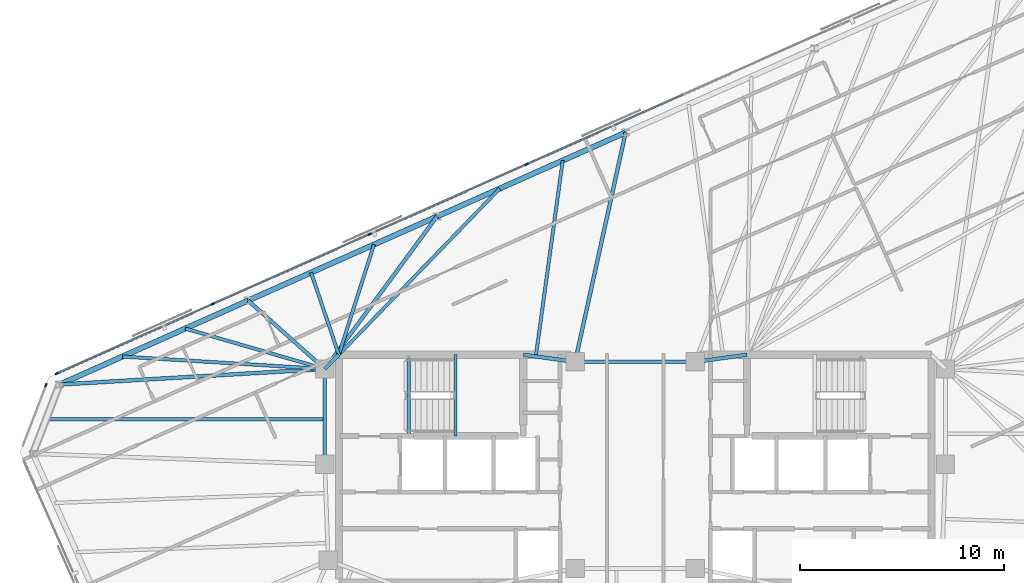
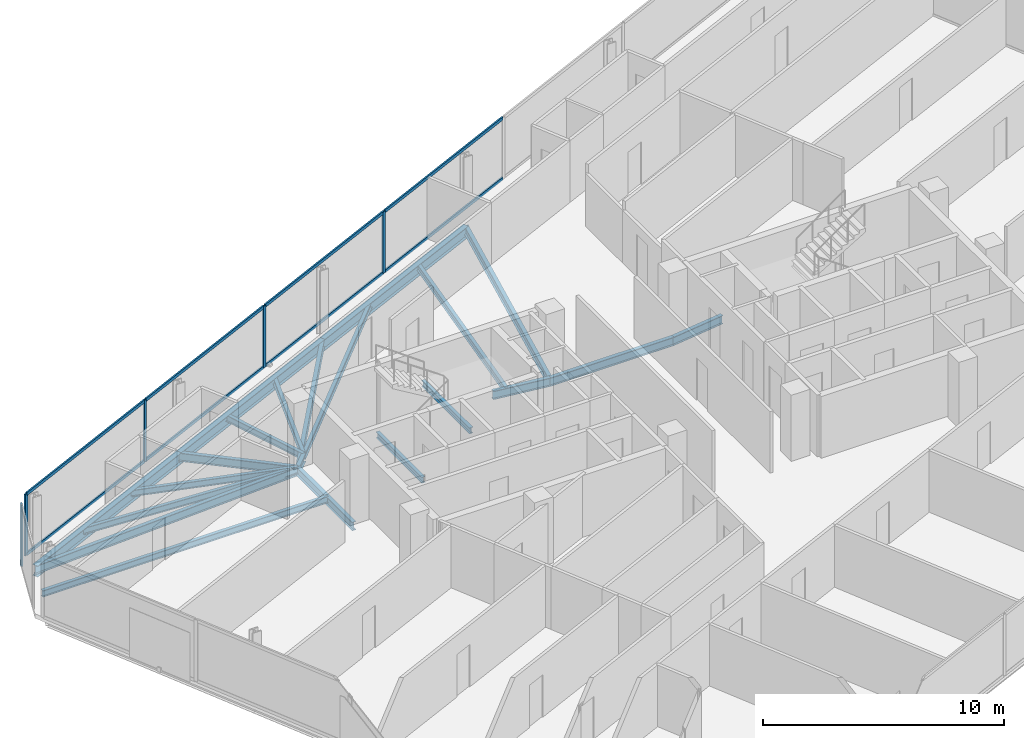
# One storey, part 9 of 19: 21 beams, 13 members, 2 elements without a shape of their own.
"""IFC4 building model written with IfcOpenShell, lengths in metres."""

from ifc_helpers import new_model, si_unit, direction, frame, origin, origin_2d, place, context, subcontext, project, spatial, rectangle, i_section, extrude, material, material_profile, profile_set, type_object, element, aggregate, save


model = new_model("IFC4")

# Units and contexts
model_context = context("Model", 3, precision=1e-05, world=origin(), true_north=direction((0.0, 1.0)))
body_context = subcontext(model_context, "Body", "Model", "MODEL_VIEW")
ifc_project = project(units=[si_unit("LENGTHUNIT", "METRE"), si_unit("AREAUNIT", "SQUARE_METRE"), si_unit("VOLUMEUNIT", "CUBIC_METRE"), si_unit("PLANEANGLEUNIT", "RADIAN"), si_unit("MASSUNIT", "GRAM", prefix="KILO")], contexts=[model_context])

# Site, building, storey
site_placement = place(None, origin())
site = spatial("IfcSite", under=ifc_project, at=site_placement, CompositionType="ELEMENT")
building_placement = place(site_placement, origin())
building = spatial("IfcBuilding", under=site, at=building_placement, Name="Menara Jurai Vektor", CompositionType="ELEMENT")
storey_placement = place(building_placement, frame((0.0, 0.0, 288.60009765625)))
storey = spatial("IfcBuildingStorey", under=building, at=storey_placement, Name="L77", CompositionType="ELEMENT", Elevation=288.60009765625)

# Curtain wall, members
ifc_material_1 = material(Name="Anodised Pale Aluminium & Low-E Double Glazing", Category="aluminium")
curtain_wall_type = type_object("IfcCurtainWallType", Name="CW-BLK5", PredefinedType="NOTDEFINED", material=ifc_material_1)
curtain_wall_1_placement = place(storey_placement, origin())
curtain_wall_1 = element("IfcCurtainWall", 1, at=curtain_wall_1_placement, inside=storey, type_object=curtain_wall_type, Name="Unitised Curtain Wall L77 F05", PredefinedType="NOTDEFINED")
ifc_material_2 = material(Name="Anodised Pale Aluminium Mullion", Category="aluminium")
ifc_material_profile_1 = material_profile(ifc_material_2, rectangle(XDim=0.074951171875, YDim=0.175048828125, at=origin_2d()), Name="ALU MUL 75x175")
ifc_profile_set_1 = profile_set([ifc_material_profile_1], Name="Anodised Pale Aluminium Mullion")
member_type_1 = type_object("IfcMemberType", Name="CW-BLK5-MUL", PredefinedType="MULLION", material=ifc_profile_set_1)
member_1_placement = place(storey_placement, frame((-5.327880859375, 14.957275390625, 0.0), z_axis=(0.0, 0.0, 1.0), x_axis=(0.406735498684, -0.913545967158, 0.0)))
member_1 = element("IfcMember", 2, at=member_1_placement, type_object=member_type_1, Name="CW-05 mullion 4", PredefinedType="MULLION", context=body_context, shape_type="SweptSolid", body=[
    extrude(rectangle(XDim=0.074951171875, YDim=0.175048828125, at=origin_2d()), origin(), (0.0, 0.0, 1.0), 3.125),
])
member_2_placement = place(storey_placement, frame((-13.038330078125, 11.5244140625, 0.0), z_axis=(0.0, 0.0, 1.0), x_axis=(0.406735498684, -0.913545967158, 0.0)))
member_2 = element("IfcMember", 3, at=member_2_placement, type_object=member_type_1, Name="CW-05 mullion 5", PredefinedType="MULLION", context=body_context, shape_type="SweptSolid", body=[
    extrude(rectangle(XDim=0.074951171875, YDim=0.175048828125, at=origin_2d()), origin(), (0.0, 0.0, 1.0), 3.125),
])
member_3_placement = place(storey_placement, frame((-20.748779296875, 8.091552734375, 0.0), z_axis=(0.0, 0.0, 1.0), x_axis=(0.406735498684, -0.913545967158, 0.0)))
member_3 = element("IfcMember", 4, at=member_3_placement, type_object=member_type_1, Name="CW-05 mullion 6", PredefinedType="MULLION", context=body_context, shape_type="SweptSolid", body=[
    extrude(rectangle(XDim=0.074951171875, YDim=0.175048828125, at=origin_2d()), origin(), (0.0, 0.0, 1.0), 3.125),
])
member_4_placement = place(storey_placement, frame((-28.4248046875, 4.674072265625, 0.0), z_axis=(0.0, 0.0, 1.0), x_axis=(0.406735498684, -0.913545967158, 0.0)))
member_4 = element("IfcMember", 5, at=member_4_placement, type_object=member_type_1, Name="CW-05 mullion 7", PredefinedType="MULLION", context=body_context, shape_type="SweptSolid", body=[
    extrude(rectangle(XDim=0.074951171875, YDim=0.175048828125, at=origin_2d()), origin(), (0.0, 0.0, 1.0), 3.125),
])

# Curtain wall, member
curtain_wall_2_placement = place(storey_placement, origin())
curtain_wall_2 = element("IfcCurtainWall", 6, at=curtain_wall_2_placement, inside=storey, type_object=curtain_wall_type, Name="Unitised Curtain Wall L77 F06", PredefinedType="NOTDEFINED")
member_5_placement = place(storey_placement, frame((-28.955810546875, 4.114501953125, 0.0), z_axis=(0.0, 0.0, 1.0), x_axis=(0.933578193639, -0.358373766287, 0.0)))
member_5 = element("IfcMember", 7, at=member_5_placement, type_object=member_type_1, Name="CW-05 mullion 1", PredefinedType="MULLION", context=body_context, shape_type="SweptSolid", body=[
    extrude(rectangle(XDim=0.074951171875, YDim=0.175048828125, at=origin_2d()), origin(), (0.0, 0.0, 1.0), 3.125),
])
aggregate(curtain_wall_2, [member_5])

# Member
ifc_material_3 = material(Name="Anodised Pale Aluminium Transom", Category="aluminium")
ifc_material_profile_2 = material_profile(ifc_material_3, rectangle(XDim=0.074951171875, YDim=0.155029296875, at=origin_2d()), Name="ALU TRN 75x155")
ifc_profile_set_2 = profile_set([ifc_material_profile_2], Name="Anodised Pale Aluminium Transom")
member_type_2 = type_object("IfcMemberType", Name="CW-BLK5-TRN", PredefinedType="USERDEFINED", material=ifc_profile_set_2)
member_6_placement = place(storey_placement, frame((2.34814453125, 18.375, 0.037353515625), z_axis=(-0.913546575494, -0.406734132331, 0.0), x_axis=(0.406734132331, -0.913546575494, 0.0)))
member_6 = element("IfcMember", 8, at=member_6_placement, type_object=member_type_2, Name="CW-05 transom 3.1", ObjectType="TRANSOM", PredefinedType="USERDEFINED", context=body_context, shape_type="SweptSolid", body=[
    extrude(rectangle(XDim=0.074951171875, YDim=0.155029296875, at=origin_2d()), origin(), (0.0, 0.0, 1.0), 8.364990234375),
])

member_7_placement = place(storey_placement, frame((2.34814453125, 18.375, 3.08740234375), z_axis=(-0.913546575494, -0.406734132331, 0.0), x_axis=(0.406734132331, -0.913546575494, 0.0)))
member_7 = element("IfcMember", 9, at=member_7_placement, type_object=member_type_2, Name="CW-05 transom 3.2", ObjectType="TRANSOM", PredefinedType="USERDEFINED", context=body_context, shape_type="SweptSolid", body=[
    extrude(rectangle(XDim=0.074951171875, YDim=0.155029296875, at=origin_2d()), origin(), (0.0, 0.0, 1.0), 8.364990234375),
])

member_8_placement = place(storey_placement, frame((-5.3623046875, 14.942138671875, 0.037353515625), z_axis=(-0.913546575494, -0.406734132331, 0.0), x_axis=(0.406734132331, -0.913546575494, 0.0)))
member_8 = element("IfcMember", 10, at=member_8_placement, type_object=member_type_2, Name="CW-05 transom 4.1", ObjectType="TRANSOM", PredefinedType="USERDEFINED", context=body_context, shape_type="SweptSolid", body=[
    extrude(rectangle(XDim=0.074951171875, YDim=0.155029296875, at=origin_2d()), origin(), (0.0, 0.0, 1.0), 8.364990234375),
])

member_9_placement = place(storey_placement, frame((-5.3623046875, 14.942138671875, 3.08740234375), z_axis=(-0.913546575494, -0.406734132331, 0.0), x_axis=(0.406734132331, -0.913546575494, 0.0)))
member_9 = element("IfcMember", 11, at=member_9_placement, type_object=member_type_2, Name="CW-05 transom 4.2", ObjectType="TRANSOM", PredefinedType="USERDEFINED", context=body_context, shape_type="SweptSolid", body=[
    extrude(rectangle(XDim=0.074951171875, YDim=0.155029296875, at=origin_2d()), origin(), (0.0, 0.0, 1.0), 8.364990234375),
])

member_10_placement = place(storey_placement, frame((-13.072509765625, 11.50927734375, 0.037353515625), z_axis=(-0.913546575494, -0.406734132331, 0.0), x_axis=(0.406734132331, -0.913546575494, 0.0)))
member_10 = element("IfcMember", 12, at=member_10_placement, type_object=member_type_2, Name="CW-05 transom 5.1", ObjectType="TRANSOM", PredefinedType="USERDEFINED", context=body_context, shape_type="SweptSolid", body=[
    extrude(rectangle(XDim=0.074951171875, YDim=0.155029296875, at=origin_2d()), origin(), (0.0, 0.0, 1.0), 8.364990234375),
])

member_11_placement = place(storey_placement, frame((-13.072509765625, 11.50927734375, 3.08740234375), z_axis=(-0.913546575494, -0.406734132331, 0.0), x_axis=(0.406734132331, -0.913546575494, 0.0)))
member_11 = element("IfcMember", 13, at=member_11_placement, type_object=member_type_2, Name="CW-05 transom 5.2", ObjectType="TRANSOM", PredefinedType="USERDEFINED", context=body_context, shape_type="SweptSolid", body=[
    extrude(rectangle(XDim=0.074951171875, YDim=0.155029296875, at=origin_2d()), origin(), (0.0, 0.0, 1.0), 8.364990234375),
])

member_12_placement = place(storey_placement, frame((-20.782958984375, 8.076416015625, 0.037353515625), z_axis=(-0.91353811338, -0.406753138159, 0.0), x_axis=(0.406753138159, -0.91353811338, 0.0)))
member_12 = element("IfcMember", 14, at=member_12_placement, type_object=member_type_2, Name="CW-05 transom 6.1", ObjectType="TRANSOM", PredefinedType="USERDEFINED", context=body_context, shape_type="SweptSolid", body=[
    extrude(rectangle(XDim=0.074951171875, YDim=0.155029296875, at=origin_2d()), origin(), (0.0, 0.0, 1.0), 8.327392578125),
])

member_13_placement = place(storey_placement, frame((-20.782958984375, 8.076416015625, 3.08740234375), z_axis=(-0.91353811338, -0.406753138159, 0.0), x_axis=(0.406753138159, -0.91353811338, 0.0)))
member_13 = element("IfcMember", 15, at=member_13_placement, type_object=member_type_2, Name="CW-05 transom 6.2", ObjectType="TRANSOM", PredefinedType="USERDEFINED", context=body_context, shape_type="SweptSolid", body=[
    extrude(rectangle(XDim=0.074951171875, YDim=0.155029296875, at=origin_2d()), origin(), (0.0, 0.0, 1.0), 8.327392578125),
])

aggregate(curtain_wall_1, [member_1, member_2, member_3, member_4, member_6, member_7, member_8, member_9, member_10, member_11, member_12, member_13])

# Beams
ifc_material_4 = material(Name="Steel S355", Category="steel")
ifc_material_profile_3 = material_profile(ifc_material_4, i_section(OverallWidth=0.18505859375, OverallDepth=0.429931640625, WebThickness=0.010986328125, FlangeThickness=0.01806640625, at=origin_2d()), Name="PG 430x185x76")
ifc_profile_set_3 = profile_set([ifc_material_profile_3], Name="Steel S355")
beam_type_1 = type_object("IfcBeamType", Name="STR-BM-430", PredefinedType="BEAM", material=ifc_profile_set_3)
beam_1_placement = place(storey_placement, frame((-15.25, 4.89990234375, -0.440185546875), z_axis=(0.701871936926, 0.712303154672, 0.0), x_axis=(-0.712303154672, 0.701871936926, 0.0)))
element("IfcBeam", 16, at=beam_1_placement, inside=storey, type_object=beam_type_1, Name="Core Ring Header Girder L77-CHW-N1", PredefinedType="BEAM", context=body_context, shape_type="SweptSolid", body=[
    extrude(i_section(OverallWidth=0.18505859375, OverallDepth=0.429931640625, WebThickness=0.010986328125, FlangeThickness=0.01806640625, at=origin_2d()), origin(), (0.0, 0.0, 1.0), 0.98291015625),
])
beam_2_placement = place(storey_placement, frame((-5.5, 5.60009765625, -0.440185546875), z_axis=(0.990706818608, -0.136014703483, 0.0), x_axis=(0.136014703483, 0.990706818608, 0.0)))
element("IfcBeam", 17, at=beam_2_placement, inside=storey, type_object=beam_type_1, Name="Core Ring Header Girder L77-CHW-N2", PredefinedType="BEAM", context=body_context, shape_type="SweptSolid", body=[
    extrude(i_section(OverallWidth=0.18505859375, OverallDepth=0.429931640625, WebThickness=0.010986328125, FlangeThickness=0.01806640625, at=origin_2d()), origin(), (0.0, 0.0, 1.0), 2.573974609375),
])
beam_3_placement = place(storey_placement, frame((-15.25, 0.219970703125, -0.440185546875), z_axis=(0.0, 1.0, 0.0), x_axis=(-1.0, 0.0, 0.0)))
element("IfcBeam", 18, at=beam_3_placement, inside=storey, type_object=beam_type_1, Name="Core Ring Header Girder L77-CHW-W1", PredefinedType="BEAM", context=body_context, shape_type="SweptSolid", body=[
    extrude(i_section(OverallWidth=0.18505859375, OverallDepth=0.429931640625, WebThickness=0.010986328125, FlangeThickness=0.01806640625, at=origin_2d()), origin(), (0.0, 0.0, 1.0), 4.679931640625),
])
beam_4_placement = place(storey_placement, frame((2.949951171875, 5.25, -0.440185546875), z_axis=(0.990706818608, 0.136014703483, 0.0), x_axis=(-0.136014703483, 0.990706818608, 0.0)))
element("IfcBeam", 19, at=beam_4_placement, inside=storey, type_object=beam_type_1, Name="Core Ring Header Girder L77-CHE-N1", PredefinedType="BEAM", context=body_context, shape_type="SweptSolid", body=[
    extrude(i_section(OverallWidth=0.18505859375, OverallDepth=0.429931640625, WebThickness=0.010986328125, FlangeThickness=0.01806640625, at=origin_2d()), origin(), (0.0, 0.0, 1.0), 2.573974609375),
])
beam_5_placement = place(storey_placement, frame((-2.949951171875, 5.25, -0.440185546875), z_axis=(1.0, 0.0, 0.0), x_axis=(0.0, 1.0, 0.0)))
element("IfcBeam", 20, at=beam_5_placement, inside=storey, type_object=beam_type_1, Name="Core Ring Header Girder L77-CC-2", PredefinedType="BEAM", context=body_context, shape_type="SweptSolid", body=[
    extrude(i_section(OverallWidth=0.18505859375, OverallDepth=0.429931640625, WebThickness=0.010986328125, FlangeThickness=0.01806640625, at=origin_2d()), origin(), (0.0, 0.0, 1.0), 5.89990234375),
])
beam_6_placement = place(storey_placement, frame((-0.467529296875, 16.519287109375, -0.440185546875), z_axis=(-0.215124522255, -0.976586626943, 0.0), x_axis=(0.976586626943, -0.215124522255, 0.0)))
element("IfcBeam", 21, at=beam_6_placement, inside=storey, type_object=beam_type_1, Name="Radial Floor Girder L77-N3", PredefinedType="BEAM", context=body_context, shape_type="SweptSolid", body=[
    extrude(i_section(OverallWidth=0.18505859375, OverallDepth=0.429931640625, WebThickness=0.010986328125, FlangeThickness=0.01806640625, at=origin_2d()), origin(), (0.0, 0.0, 1.0), 11.53955078125),
])
beam_7_placement = place(storey_placement, frame((-9.740966796875, 12.390380859375, -0.440185546875), z_axis=(-0.592483178081, -0.805582822366, 0.0), x_axis=(0.805582822366, -0.592483178081, 0.0)))
element("IfcBeam", 22, at=beam_7_placement, inside=storey, type_object=beam_type_1, Name="Radial Floor Girder L77-N4", PredefinedType="BEAM", context=body_context, shape_type="SweptSolid", body=[
    extrude(i_section(OverallWidth=0.18505859375, OverallDepth=0.429931640625, WebThickness=0.010986328125, FlangeThickness=0.01806640625, at=origin_2d()), origin(), (0.0, 0.0, 1.0), 9.298095703125),
])
beam_8_placement = place(storey_placement, frame((-19.0146484375, 8.26171875, -0.440185546875), z_axis=(0.745886163995, -0.666073442167, 0.0), x_axis=(0.666073442167, 0.745886163995, 0.0)))
element("IfcBeam", 23, at=beam_8_placement, inside=storey, type_object=beam_type_1, Name="Radial Floor Girder L77-N5", PredefinedType="BEAM", context=body_context, shape_type="SweptSolid", body=[
    extrude(i_section(OverallWidth=0.18505859375, OverallDepth=0.429931640625, WebThickness=0.010986328125, FlangeThickness=0.01806640625, at=origin_2d()), origin(), (0.0, 0.0, 1.0), 5.047119140625),
])
beam_9_placement = place(storey_placement, frame((-28.2880859375, 4.1328125, -0.440185546875), z_axis=(0.998273728533, 0.058732979834, 0.0), x_axis=(-0.058732979834, 0.998273728533, 0.0)))
element("IfcBeam", 24, at=beam_9_placement, inside=storey, type_object=beam_type_1, Name="Radial Floor Girder L77-N6", PredefinedType="BEAM", context=body_context, shape_type="SweptSolid", body=[
    extrude(i_section(OverallWidth=0.18505859375, OverallDepth=0.429931640625, WebThickness=0.010986328125, FlangeThickness=0.01806640625, at=origin_2d()), origin(), (0.0, 0.0, 1.0), 13.060546875),
])
ifc_material_profile_4 = material_profile(ifc_material_4, i_section(OverallWidth=0.1650390625, OverallDepth=0.330078125, WebThickness=0.009033203125, FlangeThickness=0.013916015625, at=origin_2d()), Name="PG 330x165x46")
ifc_profile_set_4 = profile_set([ifc_material_profile_4], Name="Steel S355")
beam_type_2 = type_object("IfcBeamType", Name="STR-JS-330", PredefinedType="JOIST", material=ifc_profile_set_4)
beam_10_placement = place(storey_placement, frame((-3.55859375, 15.14306640625, -0.39013671875), z_axis=(-0.135981954601, -0.990711314169, 0.0), x_axis=(0.990711314169, -0.135981954601, 0.0)))
element("IfcBeam", 25, at=beam_10_placement, inside=storey, type_object=beam_type_2, Name="Radial Secondary Floor Joist L77-JS19", PredefinedType="JOIST", context=body_context, shape_type="SweptSolid", body=[
    extrude(i_section(OverallWidth=0.1650390625, OverallDepth=0.330078125, WebThickness=0.009033203125, FlangeThickness=0.013916015625, at=origin_2d()), origin(), (0.0, 0.0, 1.0), 9.718505859375),
])
beam_11_placement = place(storey_placement, frame((-6.64990234375, 13.766845703125, -0.39013671875), z_axis=(-0.695732556791, -0.718300918433, 0.0), x_axis=(0.718300918433, -0.695732556791, 0.0)))
element("IfcBeam", 26, at=beam_11_placement, inside=storey, type_object=beam_type_2, Name="Radial Secondary Floor Joist L77-JS20", PredefinedType="JOIST", context=body_context, shape_type="SweptSolid", body=[
    extrude(i_section(OverallWidth=0.1650390625, OverallDepth=0.330078125, WebThickness=0.009033203125, FlangeThickness=0.013916015625, at=origin_2d()), origin(), (0.0, 0.0, 1.0), 11.36962890625),
])
beam_12_placement = place(storey_placement, frame((-12.832275390625, 11.01416015625, -0.39013671875), z_axis=(-0.304022753529, -0.952664770702, 0.0), x_axis=(0.952664770702, -0.304022753529, 0.0)))
element("IfcBeam", 27, at=beam_12_placement, inside=storey, type_object=beam_type_2, Name="Radial Secondary Floor Joist L77-JS21", PredefinedType="JOIST", context=body_context, shape_type="SweptSolid", body=[
    extrude(i_section(OverallWidth=0.1650390625, OverallDepth=0.330078125, WebThickness=0.009033203125, FlangeThickness=0.013916015625, at=origin_2d()), origin(), (0.0, 0.0, 1.0), 5.68310546875),
])
beam_13_placement = place(storey_placement, frame((-15.92333984375, 9.637939453125, -0.39013671875), z_axis=(0.319885998438, -0.947456040143, 0.0), x_axis=(0.947456040143, 0.319885998438, 0.0)))
element("IfcBeam", 28, at=beam_13_placement, inside=storey, type_object=beam_type_2, Name="Radial Secondary Floor Joist L77-JS22", PredefinedType="JOIST", context=body_context, shape_type="SweptSolid", body=[
    extrude(i_section(OverallWidth=0.1650390625, OverallDepth=0.330078125, WebThickness=0.009033203125, FlangeThickness=0.013916015625, at=origin_2d()), origin(), (0.0, 0.0, 1.0), 4.26171875),
])
beam_14_placement = place(storey_placement, frame((-22.105712890625, 6.885498046875, -0.39013671875), z_axis=(0.960525066064, -0.278193453306, 0.0), x_axis=(0.278193453306, 0.960525066064, 0.0)))
element("IfcBeam", 29, at=beam_14_placement, inside=storey, type_object=beam_type_2, Name="Radial Secondary Floor Joist L77-JS23", PredefinedType="JOIST", context=body_context, shape_type="SweptSolid", body=[
    extrude(i_section(OverallWidth=0.1650390625, OverallDepth=0.330078125, WebThickness=0.009033203125, FlangeThickness=0.013916015625, at=origin_2d()), origin(), (0.0, 0.0, 1.0), 7.137451171875),
])
beam_15_placement = place(storey_placement, frame((-25.197021484375, 5.509033203125, -0.39013671875), z_axis=(0.998130240593, -0.061123013776, 0.0), x_axis=(0.061123013776, 0.998130240593, 0.0)))
element("IfcBeam", 30, at=beam_15_placement, inside=storey, type_object=beam_type_2, Name="Radial Secondary Floor Joist L77-JS24", PredefinedType="JOIST", context=body_context, shape_type="SweptSolid", body=[
    extrude(i_section(OverallWidth=0.1650390625, OverallDepth=0.330078125, WebThickness=0.009033203125, FlangeThickness=0.013916015625, at=origin_2d()), origin(), (0.0, 0.0, 1.0), 9.965576171875),
])
beam_16_placement = place(storey_placement, frame((-28.93994140625, 2.434814453125, -0.39013671875), z_axis=(1.0, 0.0, 0.0), x_axis=(0.0, 1.0, 0.0)))
element("IfcBeam", 31, at=beam_16_placement, inside=storey, type_object=beam_type_2, Name="Radial Secondary Floor Joist L77-JS25", PredefinedType="JOIST", context=body_context, shape_type="SweptSolid", body=[
    extrude(i_section(OverallWidth=0.1650390625, OverallDepth=0.330078125, WebThickness=0.009033203125, FlangeThickness=0.013916015625, at=origin_2d()), origin(), (0.0, 0.0, 1.0), 13.68994140625),
])
ifc_material_profile_5 = material_profile(ifc_material_4, i_section(OverallWidth=0.1650390625, OverallDepth=0.302978515625, WebThickness=0.006103515625, FlangeThickness=0.010009765625, FilletRadius=0.009033203125, at=origin_2d()), Name="UKB 305x165x40")
ifc_profile_set_5 = profile_set([ifc_material_profile_5], Name="Steel S355")
beam_type_3 = type_object("IfcBeamType", Name="STR-LN-305", PredefinedType="LINTEL", material=ifc_profile_set_5)
beam_17_placement = place(storey_placement, frame((-11.1201171875, 1.60009765625, -0.376708984375), z_axis=(0.0, 1.0, 0.0), x_axis=(-1.0, 0.0, 0.0)))
element("IfcBeam", 32, at=beam_17_placement, inside=storey, type_object=beam_type_3, Name="Stair Well Floor Trimmer ST1 L77", PredefinedType="LINTEL", context=body_context, shape_type="SweptSolid", body=[
    extrude(i_section(OverallWidth=0.1650390625, OverallDepth=0.302978515625, WebThickness=0.006103515625, FlangeThickness=0.010009765625, FilletRadius=0.009033203125, at=origin_2d()), origin(), (0.0, 0.0, 1.0), 3.81982421875),
])
beam_18_placement = place(storey_placement, frame((-8.830078125, 1.60009765625, 1.323486328125), z_axis=(0.0, 1.0, 0.0), x_axis=(-1.0, 0.0, 0.0)))
element("IfcBeam", 33, at=beam_18_placement, inside=storey, type_object=beam_type_3, Name="Stair Half-Landing Nosing Trimmer ST1-1 L77", PredefinedType="LINTEL", context=body_context, shape_type="SweptSolid", body=[
    extrude(i_section(OverallWidth=0.1650390625, OverallDepth=0.302978515625, WebThickness=0.006103515625, FlangeThickness=0.010009765625, FilletRadius=0.009033203125, at=origin_2d()), origin(), (0.0, 0.0, 1.0), 4.0),
])
ifc_material_profile_6 = material_profile(ifc_material_4, i_section(OverallWidth=0.260009765625, OverallDepth=0.570068359375, WebThickness=0.013916015625, FlangeThickness=0.02392578125, at=origin_2d()), Name="PG 570x260x145")
ifc_profile_set_6 = profile_set([ifc_material_profile_6], Name="Steel S355")
beam_type_4 = type_object("IfcBeamType", Name="STR-SP-570", PredefinedType="SPANDREL", material=ifc_profile_set_6)
for number, where, z_axis, x_axis, name in (
    (34, (-0.467529296875, 16.519287109375, -0.510009765625), (-0.913541582548, -0.406745346568, 0.0), (0.406745346568, -0.913541582548, 0.0), "Exoskeleton Spandrel Beam L77-13"),
    (35, (-9.740966796875, 12.390380859375, -0.510009765625), (-0.913554497648, -0.406716338284, 0.0), (0.406716338284, -0.913554497648, 0.0), "Exoskeleton Spandrel Beam L77-14"),
    (36, (-19.0146484375, 8.26171875, -0.510009765625), (-0.913541582548, -0.406745346568, 0.0), (0.406745346568, -0.913541582548, 0.0), "Exoskeleton Spandrel Beam L77-15"),
):
    element("IfcBeam", number, at=place(storey_placement, frame(where, z_axis=z_axis, x_axis=x_axis)), inside=storey, type_object=beam_type_4, Name=name, PredefinedType="SPANDREL", context=body_context, shape_type="SweptSolid", body=[
        extrude(i_section(OverallWidth=0.260009765625, OverallDepth=0.570068359375, WebThickness=0.013916015625, FlangeThickness=0.02392578125, at=origin_2d()), origin(), (0.0, 0.0, 1.0), 10.151123046875),
    ])

save(model, "model.ifc")
